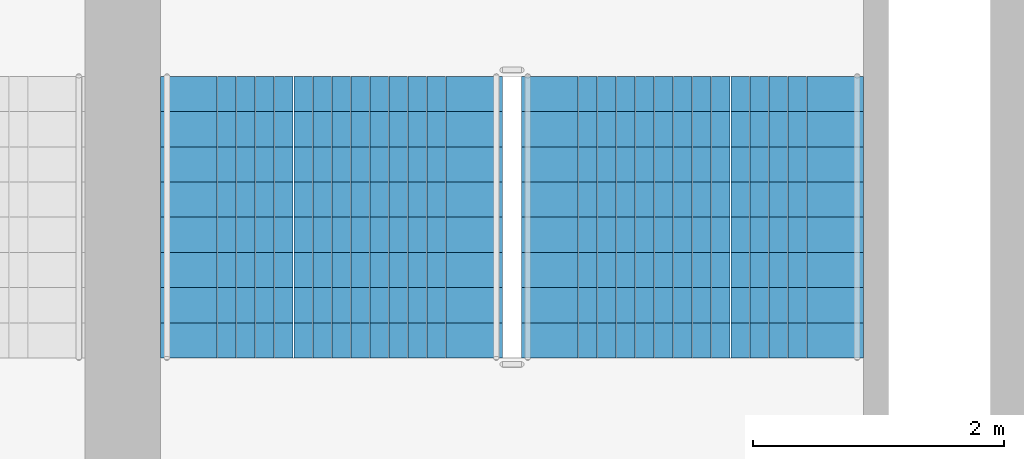
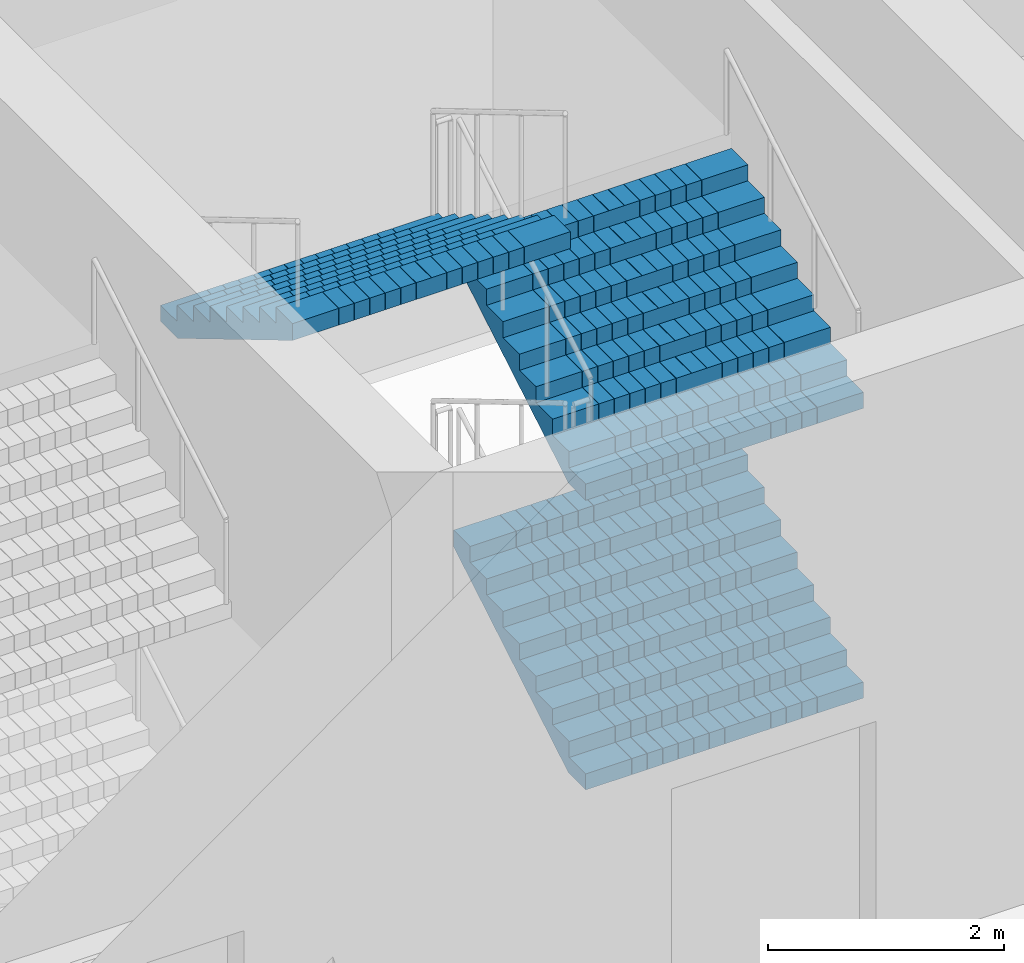
# One storey, part 44 of 61: 3 stair flights, 1 element without a shape of its own.
"""IFC4 building model written with IfcOpenShell, lengths in metres."""

import ifcopenshell
import ifcopenshell.guid

model = None  # the IFC model being written
_history = None  # IfcOwnerHistory: only IFC2X3 demands one
_inside = {}  # id of a spatial element -> (the spatial element, [elements in it])
_under = {}  # id of a project, library or spatial element -> (it, [spatial elements below it])
_declared = {}  # id of a project -> (the project, [libraries it declares])
_typed = {}  # id of a type object -> (the type object, [elements of that type])
_made_of = {}  # id of a material, layer set ... -> (it, [elements and type objects made of it])


def new_model(schema):
    """Start an empty IFC model of exactly this schema.

    Asked for "IFC4X3", IfcOpenShell would pick the latest addendum, in which some entities
    have other attributes; the version numbers below select the first issue.
    IFC2X3 requires an IfcOwnerHistory on every rooted entity: one is made here for all.
    """
    global model, _history
    if schema == "IFC4X3":
        model = ifcopenshell.file(schema_version=(4, 3, 0, 0))
    else:
        model = ifcopenshell.file(schema=schema)
    _inside.clear()
    _under.clear()
    _declared.clear()
    _typed.clear()
    _made_of.clear()
    _history = None
    if model.schema == "IFC2X3":
        org = make("IfcOrganization", Name="unknown")
        user = make(
            "IfcPersonAndOrganization",
            ThePerson=make("IfcPerson", FamilyName="unknown"),
            TheOrganization=org,
        )
        app = make(
            "IfcApplication",
            ApplicationDeveloper=org,
            Version="unknown",
            ApplicationFullName="unknown",
            ApplicationIdentifier="unknown",
        )
        _history = make(
            "IfcOwnerHistory",
            OwningUser=user,
            OwningApplication=app,
            ChangeAction="ADDED",
            CreationDate=0,
        )
    return model


def make(cls, **values):
    """One entity of the class cls with the attributes given. An attribute that is None is left unset."""
    return model.create_entity(
        cls, **{name: value for name, value in values.items() if value is not None}
    )


def rooted(cls, **values):
    """An entity with a GlobalId (a new one), such as an element, a storey or a relation."""
    return make(cls, GlobalId=ifcopenshell.guid.new(), OwnerHistory=_history, **values)


def si_unit(unit_type, name, prefix=None):
    """IfcSIUnit, for example si_unit("LENGTHUNIT", "METRE", prefix="MILLI")."""
    return make("IfcSIUnit", UnitType=unit_type, Prefix=prefix, Name=name)


def assignment(units):
    """IfcUnitAssignment: the units of a project."""
    return None if units is None else make("IfcUnitAssignment", Units=units)


def point(xyz):
    """IfcCartesianPoint."""
    return None if xyz is None else make("IfcCartesianPoint", Coordinates=xyz)


def direction(xyz):
    """IfcDirection."""
    return None if xyz is None else make("IfcDirection", DirectionRatios=xyz)


def frame(location, z_axis=None, x_axis=None):
    """IfcAxis2Placement3D, a coordinate frame: its origin and axes. An axis left out is left unset."""
    return make(
        "IfcAxis2Placement3D",
        Location=point(location),
        Axis=direction(z_axis),
        RefDirection=direction(x_axis),
    )


def origin():
    """The frame at (0, 0, 0) with its axes left unset."""
    return frame((0.0, 0.0, 0.0))


def place(relative_to, where):
    """IfcLocalPlacement: puts the frame where relative to a parent placement (None: the world)."""
    return make(
        "IfcLocalPlacement", PlacementRelTo=relative_to, RelativePlacement=where
    )


def context(
    kind, dimensions, precision=None, world=None, true_north=None, identifier=None
):
    """IfcGeometricRepresentationContext, for example the 3D "Model" context."""
    return make(
        "IfcGeometricRepresentationContext",
        ContextIdentifier=identifier,
        ContextType=kind,
        CoordinateSpaceDimension=dimensions,
        Precision=precision,
        WorldCoordinateSystem=world,
        TrueNorth=true_north,
    )


def subcontext(parent, identifier, kind, view, scale=None):
    """IfcGeometricRepresentationSubContext, for example "Body" below "Model"."""
    return make(
        "IfcGeometricRepresentationSubContext",
        ContextIdentifier=identifier,
        ContextType=kind,
        ParentContext=parent,
        TargetScale=scale,
        TargetView=view,
    )


def project(units=None, contexts=None):
    """IfcProject with its units and contexts."""
    return rooted(
        "IfcProject",
        Name="project",
        RepresentationContexts=contexts,
        UnitsInContext=assignment(units),
    )


def spatial(cls, under=None, at=None, **own):
    """A site, building, storey or space (cls), placed at a placement, below another one or the project."""
    s = rooted(cls, ObjectPlacement=at, **own)
    if under is not None:
        _under.setdefault(under.id(), (under, []))[1].append(s)
    return s


def polyline(points):
    """IfcPolyline through the points."""
    return make("IfcPolyline", Points=[point(p) for p in points])


def outline(outer, holes=None, kind="AREA"):
    """IfcArbitraryClosedProfileDef: a profile drawn as a closed curve; with holes, ...WithVoids."""
    if holes is None:
        return make("IfcArbitraryClosedProfileDef", ProfileType=kind, OuterCurve=outer)
    return make(
        "IfcArbitraryProfileDefWithVoids",
        ProfileType=kind,
        OuterCurve=outer,
        InnerCurves=holes,
    )


def extrude(swept, where, along, depth):
    """IfcExtrudedAreaSolid: the profile swept, set in the frame where, extruded along a direction by depth."""
    return make(
        "IfcExtrudedAreaSolid",
        SweptArea=swept,
        Position=where,
        ExtrudedDirection=direction(along),
        Depth=depth,
    )


def shape(context_of_items, identifier, shape_type, items):
    """IfcShapeRepresentation: the items that make up one representation, for example the "Body"."""
    return make(
        "IfcShapeRepresentation",
        ContextOfItems=context_of_items,
        RepresentationIdentifier=identifier,
        RepresentationType=shape_type,
        Items=items,
    )


def material(Name=None, Category=None):
    """IfcMaterial."""
    return make("IfcMaterial", Name=Name, Category=Category)


def made_of(thing, what):
    """Note that an element or type object is made of a material, layer set ...; save() writes the relation."""
    if what is not None:
        _made_of.setdefault(what.id(), (what, []))[1].append(thing)
    return thing


def type_object(cls, material=None, **own):
    """A type object (cls), such as IfcWallType, which elements share."""
    return made_of(rooted(cls, **own), material)


def element(
    cls,
    number,
    at=None,
    inside=None,
    cuts=None,
    type_object=None,
    material=None,
    context=None,
    identifier="Body",
    shape_type=None,
    held_by="IfcProductDefinitionShape",
    body=None,
    shapes=None,
    **own,
):
    """One element of the class cls, such as IfcWall. Its Tag is "e" and its number.

    at: its placement. inside: the storey or other place that contains it. cuts: it is an
    opening in that element (IfcRelVoidsElement). A single representation is given by context,
    identifier, shape_type and body (its items); several are given by shapes. held_by: the class
    of the entity that holds the representations. save() writes the other relations.
    """
    e = rooted(cls, Tag="e%d" % number, ObjectPlacement=at, **own)
    if body is not None:
        shapes = [shape(context, identifier, shape_type, body)]
    if shapes is not None:
        e.Representation = make(held_by, Representations=shapes)
    if inside is not None:
        _inside.setdefault(inside.id(), (inside, []))[1].append(e)
    if cuts is not None:
        rooted(
            "IfcRelVoidsElement", RelatingBuildingElement=cuts, RelatedOpeningElement=e
        )
    if type_object is not None:
        _typed.setdefault(type_object.id(), (type_object, []))[1].append(e)
    return made_of(e, material)


def aggregate(whole, parts):
    """IfcRelAggregates: a whole, such as a stair, and the parts it consists of."""
    return rooted("IfcRelAggregates", RelatingObject=whole, RelatedObjects=parts)


def save(model, path):
    """Write the relations noted so far, then the file.

    IfcRelAggregates (storeys below a building ...), IfcRelContainedInSpatialStructure (elements
    in a storey), IfcRelDefinesByType, IfcRelAssociatesMaterial and IfcRelDeclares: one each for
    every whole, place, type object, material and project.
    """
    for whole, parts in _under.values():
        aggregate(whole, parts)
    for where, things in _inside.values():
        rooted(
            "IfcRelContainedInSpatialStructure",
            RelatedElements=things,
            RelatingStructure=where,
        )
    for kind, things in _typed.values():
        rooted("IfcRelDefinesByType", RelatedObjects=things, RelatingType=kind)
    for what, things in _made_of.values():
        rooted("IfcRelAssociatesMaterial", RelatedObjects=things, RelatingMaterial=what)
    for by, libraries in _declared.values():
        rooted("IfcRelDeclares", RelatingContext=by, RelatedDefinitions=libraries)
    model.write(path)


model = new_model("IFC4")

# Units and contexts
model_context = context("Model", 3, precision=1e-05, world=origin(), true_north=direction((0.0, 1.0)))
body_context = subcontext(model_context, "Body", "Model", "MODEL_VIEW")
ifc_project = project(units=[si_unit("LENGTHUNIT", "METRE"), si_unit("AREAUNIT", "SQUARE_METRE"), si_unit("VOLUMEUNIT", "CUBIC_METRE"), si_unit("PLANEANGLEUNIT", "RADIAN"), si_unit("MASSUNIT", "GRAM", prefix="KILO")], contexts=[model_context])

# Site, building, storey
site_placement = place(None, origin())
site = spatial("IfcSite", under=ifc_project, at=site_placement, CompositionType="ELEMENT")
building_placement = place(site_placement, origin())
building = spatial("IfcBuilding", under=site, at=building_placement, Name="Corbelhall Arena Tower", CompositionType="ELEMENT")
storey_placement = place(building_placement, frame((0.0, 0.0, 31.0)))
storey = spatial("IfcBuildingStorey", under=building, at=storey_placement, Name="L04", CompositionType="ELEMENT", Elevation=31.0)

# Stair, stair flights
ifc_material = material(Name="Reinforced concrete C40/50", Category="concrete")
stair_type = type_object("IfcStairType", Name="AR-EXIT-STAIR", PredefinedType="HALF_TURN_STAIR", material=ifc_material)
stair_placement = place(storey_placement, origin())
stair = element("IfcStair", 1, at=stair_placement, inside=storey, type_object=stair_type, Name="L04 exit stair AS3", PredefinedType="HALF_TURN_STAIR")
stair_flight_type = type_object("IfcStairFlightType", Name="AR-EXIT-FLIGHT", PredefinedType="STRAIGHT", material=ifc_material)
stair_flight_1_placement = place(storey_placement, frame((-35.969970703125, 27.320068359375, 0.0), z_axis=(0.0, 0.0, 1.0), x_axis=(0.0, 1.0, 0.0)))
stair_flight_1 = element("IfcStairFlight", 2, at=stair_flight_1_placement, type_object=stair_flight_type, Name="AS3 flight 1", NumberOfRisers=9, NumberOfTreads=8, PredefinedType="STRAIGHT", RiserHeight=0.166666667, TreadLength=0.28, context=body_context, shape_type="SweptSolid", body=[
    extrude(outline(polyline([(0.0, 0.0), (0.0, 0.166748046875), (0.280029296875, 0.166748046875), (0.280029296875, 0.333251953125), (0.56005859375, 0.333251953125), (0.56005859375, 0.5), (0.840087890625, 0.5), (0.840087890625, 0.666748046875), (1.1201171875, 0.666748046875), (1.1201171875, 0.833251953125), (1.39990234375, 0.833251953125), (1.39990234375, 1.0), (1.679931640625, 1.0), (1.679931640625, 1.166748046875), (1.9599609375, 1.166748046875), (1.9599609375, 1.333251953125), (2.239990234375, 1.333251953125), (2.239990234375, 1.5), (2.239990234375, 1.158935546875), (0.29296875, 0.0), (0.0, 0.0)])), frame((0.0, 1.35986328125, 0.0), z_axis=(0.0, -1.0, 0.0), x_axis=(1.0, 0.0, 0.0)), (0.0, 0.0, 1.0), 0.449951171875),
    extrude(outline(polyline([(0.0, 0.0), (0.0, 0.166748046875), (0.280029296875, 0.166748046875), (0.280029296875, 0.333251953125), (0.56005859375, 0.333251953125), (0.56005859375, 0.5), (0.840087890625, 0.5), (0.840087890625, 0.666748046875), (1.1201171875, 0.666748046875), (1.1201171875, 0.833251953125), (1.39990234375, 0.833251953125), (1.39990234375, 1.0), (1.679931640625, 1.0), (1.679931640625, 1.166748046875), (1.9599609375, 1.166748046875), (1.9599609375, 1.333251953125), (2.239990234375, 1.333251953125), (2.239990234375, 1.5), (2.239990234375, 1.158935546875), (0.29296875, 0.0), (0.0, 0.0)])), frame((0.0, 0.906005859375, 0.0), z_axis=(0.0, -1.0, 0.0), x_axis=(1.0, 0.0, 0.0)), (0.0, 0.0, 1.0), 0.147216796875),
    extrude(outline(polyline([(0.0, 0.0), (0.0, 0.166748046875), (0.280029296875, 0.166748046875), (0.280029296875, 0.333251953125), (0.56005859375, 0.333251953125), (0.56005859375, 0.5), (0.840087890625, 0.5), (0.840087890625, 0.666748046875), (1.1201171875, 0.666748046875), (1.1201171875, 0.833251953125), (1.39990234375, 0.833251953125), (1.39990234375, 1.0), (1.679931640625, 1.0), (1.679931640625, 1.166748046875), (1.9599609375, 1.166748046875), (1.9599609375, 1.333251953125), (2.239990234375, 1.333251953125), (2.239990234375, 1.5), (2.239990234375, 1.158935546875), (0.29296875, 0.0), (0.0, 0.0)])), frame((0.0, 0.754638671875, 0.0), z_axis=(0.0, -1.0, 0.0), x_axis=(1.0, 0.0, 0.0)), (0.0, 0.0, 1.0), 0.147216796875),
    extrude(outline(polyline([(0.0, 0.0), (0.0, 0.166748046875), (0.280029296875, 0.166748046875), (0.280029296875, 0.333251953125), (0.56005859375, 0.333251953125), (0.56005859375, 0.5), (0.840087890625, 0.5), (0.840087890625, 0.666748046875), (1.1201171875, 0.666748046875), (1.1201171875, 0.833251953125), (1.39990234375, 0.833251953125), (1.39990234375, 1.0), (1.679931640625, 1.0), (1.679931640625, 1.166748046875), (1.9599609375, 1.166748046875), (1.9599609375, 1.333251953125), (2.239990234375, 1.333251953125), (2.239990234375, 1.5), (2.239990234375, 1.158935546875), (0.29296875, 0.0), (0.0, 0.0)])), frame((0.0, 0.603271484375, 0.0), z_axis=(0.0, -1.0, 0.0), x_axis=(1.0, 0.0, 0.0)), (0.0, 0.0, 1.0), 0.147216796875),
    extrude(outline(polyline([(0.0, 0.0), (0.0, 0.166748046875), (0.280029296875, 0.166748046875), (0.280029296875, 0.333251953125), (0.56005859375, 0.333251953125), (0.56005859375, 0.5), (0.840087890625, 0.5), (0.840087890625, 0.666748046875), (1.1201171875, 0.666748046875), (1.1201171875, 0.833251953125), (1.39990234375, 0.833251953125), (1.39990234375, 1.0), (1.679931640625, 1.0), (1.679931640625, 1.166748046875), (1.9599609375, 1.166748046875), (1.9599609375, 1.333251953125), (2.239990234375, 1.333251953125), (2.239990234375, 1.5), (2.239990234375, 1.158935546875), (0.29296875, 0.0), (0.0, 0.0)])), frame((0.0, 0.451904296875, 0.0), z_axis=(0.0, -1.0, 0.0), x_axis=(1.0, 0.0, 0.0)), (0.0, 0.0, 1.0), 0.147216796875),
    extrude(outline(polyline([(0.0, 0.0), (0.0, 0.166748046875), (0.280029296875, 0.166748046875), (0.280029296875, 0.333251953125), (0.56005859375, 0.333251953125), (0.56005859375, 0.5), (0.840087890625, 0.5), (0.840087890625, 0.666748046875), (1.1201171875, 0.666748046875), (1.1201171875, 0.833251953125), (1.39990234375, 0.833251953125), (1.39990234375, 1.0), (1.679931640625, 1.0), (1.679931640625, 1.166748046875), (1.9599609375, 1.166748046875), (1.9599609375, 1.333251953125), (2.239990234375, 1.333251953125), (2.239990234375, 1.5), (2.239990234375, 1.158935546875), (0.29296875, 0.0), (0.0, 0.0)])), frame((0.0, 0.30078125, 0.0), z_axis=(0.0, -1.0, 0.0), x_axis=(1.0, 0.0, 0.0)), (0.0, 0.0, 1.0), 0.147216796875),
    extrude(outline(polyline([(0.0, 0.0), (0.0, 0.166748046875), (0.280029296875, 0.166748046875), (0.280029296875, 0.333251953125), (0.56005859375, 0.333251953125), (0.56005859375, 0.5), (0.840087890625, 0.5), (0.840087890625, 0.666748046875), (1.1201171875, 0.666748046875), (1.1201171875, 0.833251953125), (1.39990234375, 0.833251953125), (1.39990234375, 1.0), (1.679931640625, 1.0), (1.679931640625, 1.166748046875), (1.9599609375, 1.166748046875), (1.9599609375, 1.333251953125), (2.239990234375, 1.333251953125), (2.239990234375, 1.5), (2.239990234375, 1.158935546875), (0.29296875, 0.0), (0.0, 0.0)])), frame((0.0, 0.1494140625, 0.0), z_axis=(0.0, -1.0, 0.0), x_axis=(1.0, 0.0, 0.0)), (0.0, 0.0, 1.0), 0.147216796875),
    extrude(outline(polyline([(0.0, 0.0), (0.0, 0.166748046875), (0.280029296875, 0.166748046875), (0.280029296875, 0.333251953125), (0.56005859375, 0.333251953125), (0.56005859375, 0.5), (0.840087890625, 0.5), (0.840087890625, 0.666748046875), (1.1201171875, 0.666748046875), (1.1201171875, 0.833251953125), (1.39990234375, 0.833251953125), (1.39990234375, 1.0), (1.679931640625, 1.0), (1.679931640625, 1.166748046875), (1.9599609375, 1.166748046875), (1.9599609375, 1.333251953125), (2.239990234375, 1.333251953125), (2.239990234375, 1.5), (2.239990234375, 1.158935546875), (0.29296875, 0.0), (0.0, 0.0)])), frame((0.0, -0.001953125, 0.0), z_axis=(0.0, -1.0, 0.0), x_axis=(1.0, 0.0, 0.0)), (0.0, 0.0, 1.0), 0.147216796875),
    extrude(outline(polyline([(0.0, 0.0), (0.0, 0.166748046875), (0.280029296875, 0.166748046875), (0.280029296875, 0.333251953125), (0.56005859375, 0.333251953125), (0.56005859375, 0.5), (0.840087890625, 0.5), (0.840087890625, 0.666748046875), (1.1201171875, 0.666748046875), (1.1201171875, 0.833251953125), (1.39990234375, 0.833251953125), (1.39990234375, 1.0), (1.679931640625, 1.0), (1.679931640625, 1.166748046875), (1.9599609375, 1.166748046875), (1.9599609375, 1.333251953125), (2.239990234375, 1.333251953125), (2.239990234375, 1.5), (2.239990234375, 1.158935546875), (0.29296875, 0.0), (0.0, 0.0)])), frame((0.0, -0.1533203125, 0.0), z_axis=(0.0, -1.0, 0.0), x_axis=(1.0, 0.0, 0.0)), (0.0, 0.0, 1.0), 0.147216796875),
    extrude(outline(polyline([(0.0, 0.0), (0.0, 0.166748046875), (0.280029296875, 0.166748046875), (0.280029296875, 0.333251953125), (0.56005859375, 0.333251953125), (0.56005859375, 0.5), (0.840087890625, 0.5), (0.840087890625, 0.666748046875), (1.1201171875, 0.666748046875), (1.1201171875, 0.833251953125), (1.39990234375, 0.833251953125), (1.39990234375, 1.0), (1.679931640625, 1.0), (1.679931640625, 1.166748046875), (1.9599609375, 1.166748046875), (1.9599609375, 1.333251953125), (2.239990234375, 1.333251953125), (2.239990234375, 1.5), (2.239990234375, 1.158935546875), (0.29296875, 0.0), (0.0, 0.0)])), frame((0.0, -0.3046875, 0.0), z_axis=(0.0, -1.0, 0.0), x_axis=(1.0, 0.0, 0.0)), (0.0, 0.0, 1.0), 0.147216796875),
    extrude(outline(polyline([(0.0, 0.0), (0.0, 0.166748046875), (0.280029296875, 0.166748046875), (0.280029296875, 0.333251953125), (0.56005859375, 0.333251953125), (0.56005859375, 0.5), (0.840087890625, 0.5), (0.840087890625, 0.666748046875), (1.1201171875, 0.666748046875), (1.1201171875, 0.833251953125), (1.39990234375, 0.833251953125), (1.39990234375, 1.0), (1.679931640625, 1.0), (1.679931640625, 1.166748046875), (1.9599609375, 1.166748046875), (1.9599609375, 1.333251953125), (2.239990234375, 1.333251953125), (2.239990234375, 1.5), (2.239990234375, 1.158935546875), (0.29296875, 0.0), (0.0, 0.0)])), frame((0.0, -0.4560546875, 0.0), z_axis=(0.0, -1.0, 0.0), x_axis=(1.0, 0.0, 0.0)), (0.0, 0.0, 1.0), 0.147216796875),
    extrude(outline(polyline([(0.0, 0.0), (0.0, 0.166748046875), (0.280029296875, 0.166748046875), (0.280029296875, 0.333251953125), (0.56005859375, 0.333251953125), (0.56005859375, 0.5), (0.840087890625, 0.5), (0.840087890625, 0.666748046875), (1.1201171875, 0.666748046875), (1.1201171875, 0.833251953125), (1.39990234375, 0.833251953125), (1.39990234375, 1.0), (1.679931640625, 1.0), (1.679931640625, 1.166748046875), (1.9599609375, 1.166748046875), (1.9599609375, 1.333251953125), (2.239990234375, 1.333251953125), (2.239990234375, 1.5), (2.239990234375, 1.158935546875), (0.29296875, 0.0), (0.0, 0.0)])), frame((0.0, -0.607421875, 0.0), z_axis=(0.0, -1.0, 0.0), x_axis=(1.0, 0.0, 0.0)), (0.0, 0.0, 1.0), 0.147216796875),
    extrude(outline(polyline([(0.0, 0.0), (0.0, 0.166748046875), (0.280029296875, 0.166748046875), (0.280029296875, 0.333251953125), (0.56005859375, 0.333251953125), (0.56005859375, 0.5), (0.840087890625, 0.5), (0.840087890625, 0.666748046875), (1.1201171875, 0.666748046875), (1.1201171875, 0.833251953125), (1.39990234375, 0.833251953125), (1.39990234375, 1.0), (1.679931640625, 1.0), (1.679931640625, 1.166748046875), (1.9599609375, 1.166748046875), (1.9599609375, 1.333251953125), (2.239990234375, 1.333251953125), (2.239990234375, 1.5), (2.239990234375, 1.158935546875), (0.29296875, 0.0), (0.0, 0.0)])), frame((0.0, -0.758544921875, 0.0), z_axis=(0.0, -1.0, 0.0), x_axis=(1.0, 0.0, 0.0)), (0.0, 0.0, 1.0), 0.147216796875),
    extrude(outline(polyline([(0.0, 0.0), (0.0, 0.166748046875), (0.280029296875, 0.166748046875), (0.280029296875, 0.333251953125), (0.56005859375, 0.333251953125), (0.56005859375, 0.5), (0.840087890625, 0.5), (0.840087890625, 0.666748046875), (1.1201171875, 0.666748046875), (1.1201171875, 0.833251953125), (1.39990234375, 0.833251953125), (1.39990234375, 1.0), (1.679931640625, 1.0), (1.679931640625, 1.166748046875), (1.9599609375, 1.166748046875), (1.9599609375, 1.333251953125), (2.239990234375, 1.333251953125), (2.239990234375, 1.5), (2.239990234375, 1.158935546875), (0.29296875, 0.0), (0.0, 0.0)])), frame((0.0, -0.909912109375, 0.0), z_axis=(0.0, -1.0, 0.0), x_axis=(1.0, 0.0, 0.0)), (0.0, 0.0, 1.0), 0.449951171875),
])
stair_flight_2_placement = place(storey_placement, frame((-35.969970703125, 27.320068359375, 3.0), z_axis=(0.0, 0.0, 1.0), x_axis=(0.0, 1.0, 0.0)))
stair_flight_2 = element("IfcStairFlight", 3, at=stair_flight_2_placement, type_object=stair_flight_type, Name="AS3 flight 3", NumberOfRisers=9, NumberOfTreads=8, PredefinedType="STRAIGHT", RiserHeight=0.166666667, TreadLength=0.28, context=body_context, shape_type="SweptSolid", body=[
    extrude(outline(polyline([(0.0, 0.0), (0.0, 0.166748046875), (0.280029296875, 0.166748046875), (0.280029296875, 0.333251953125), (0.56005859375, 0.333251953125), (0.56005859375, 0.5), (0.840087890625, 0.5), (0.840087890625, 0.666748046875), (1.1201171875, 0.666748046875), (1.1201171875, 0.833251953125), (1.39990234375, 0.833251953125), (1.39990234375, 1.0), (1.679931640625, 1.0), (1.679931640625, 1.166748046875), (1.9599609375, 1.166748046875), (1.9599609375, 1.333251953125), (2.239990234375, 1.333251953125), (2.239990234375, 1.5), (2.239990234375, 1.158935546875), (0.29296875, 0.0), (0.0, 0.0)])), frame((0.0, 1.35986328125, 0.0), z_axis=(0.0, -1.0, 0.0), x_axis=(1.0, 0.0, 0.0)), (0.0, 0.0, 1.0), 0.449951171875),
    extrude(outline(polyline([(0.0, 0.0), (0.0, 0.166748046875), (0.280029296875, 0.166748046875), (0.280029296875, 0.333251953125), (0.56005859375, 0.333251953125), (0.56005859375, 0.5), (0.840087890625, 0.5), (0.840087890625, 0.666748046875), (1.1201171875, 0.666748046875), (1.1201171875, 0.833251953125), (1.39990234375, 0.833251953125), (1.39990234375, 1.0), (1.679931640625, 1.0), (1.679931640625, 1.166748046875), (1.9599609375, 1.166748046875), (1.9599609375, 1.333251953125), (2.239990234375, 1.333251953125), (2.239990234375, 1.5), (2.239990234375, 1.158935546875), (0.29296875, 0.0), (0.0, 0.0)])), frame((0.0, 0.906005859375, 0.0), z_axis=(0.0, -1.0, 0.0), x_axis=(1.0, 0.0, 0.0)), (0.0, 0.0, 1.0), 0.147216796875),
    extrude(outline(polyline([(0.0, 0.0), (0.0, 0.166748046875), (0.280029296875, 0.166748046875), (0.280029296875, 0.333251953125), (0.56005859375, 0.333251953125), (0.56005859375, 0.5), (0.840087890625, 0.5), (0.840087890625, 0.666748046875), (1.1201171875, 0.666748046875), (1.1201171875, 0.833251953125), (1.39990234375, 0.833251953125), (1.39990234375, 1.0), (1.679931640625, 1.0), (1.679931640625, 1.166748046875), (1.9599609375, 1.166748046875), (1.9599609375, 1.333251953125), (2.239990234375, 1.333251953125), (2.239990234375, 1.5), (2.239990234375, 1.158935546875), (0.29296875, 0.0), (0.0, 0.0)])), frame((0.0, 0.754638671875, 0.0), z_axis=(0.0, -1.0, 0.0), x_axis=(1.0, 0.0, 0.0)), (0.0, 0.0, 1.0), 0.147216796875),
    extrude(outline(polyline([(0.0, 0.0), (0.0, 0.166748046875), (0.280029296875, 0.166748046875), (0.280029296875, 0.333251953125), (0.56005859375, 0.333251953125), (0.56005859375, 0.5), (0.840087890625, 0.5), (0.840087890625, 0.666748046875), (1.1201171875, 0.666748046875), (1.1201171875, 0.833251953125), (1.39990234375, 0.833251953125), (1.39990234375, 1.0), (1.679931640625, 1.0), (1.679931640625, 1.166748046875), (1.9599609375, 1.166748046875), (1.9599609375, 1.333251953125), (2.239990234375, 1.333251953125), (2.239990234375, 1.5), (2.239990234375, 1.158935546875), (0.29296875, 0.0), (0.0, 0.0)])), frame((0.0, 0.603271484375, 0.0), z_axis=(0.0, -1.0, 0.0), x_axis=(1.0, 0.0, 0.0)), (0.0, 0.0, 1.0), 0.147216796875),
    extrude(outline(polyline([(0.0, 0.0), (0.0, 0.166748046875), (0.280029296875, 0.166748046875), (0.280029296875, 0.333251953125), (0.56005859375, 0.333251953125), (0.56005859375, 0.5), (0.840087890625, 0.5), (0.840087890625, 0.666748046875), (1.1201171875, 0.666748046875), (1.1201171875, 0.833251953125), (1.39990234375, 0.833251953125), (1.39990234375, 1.0), (1.679931640625, 1.0), (1.679931640625, 1.166748046875), (1.9599609375, 1.166748046875), (1.9599609375, 1.333251953125), (2.239990234375, 1.333251953125), (2.239990234375, 1.5), (2.239990234375, 1.158935546875), (0.29296875, 0.0), (0.0, 0.0)])), frame((0.0, 0.451904296875, 0.0), z_axis=(0.0, -1.0, 0.0), x_axis=(1.0, 0.0, 0.0)), (0.0, 0.0, 1.0), 0.147216796875),
    extrude(outline(polyline([(0.0, 0.0), (0.0, 0.166748046875), (0.280029296875, 0.166748046875), (0.280029296875, 0.333251953125), (0.56005859375, 0.333251953125), (0.56005859375, 0.5), (0.840087890625, 0.5), (0.840087890625, 0.666748046875), (1.1201171875, 0.666748046875), (1.1201171875, 0.833251953125), (1.39990234375, 0.833251953125), (1.39990234375, 1.0), (1.679931640625, 1.0), (1.679931640625, 1.166748046875), (1.9599609375, 1.166748046875), (1.9599609375, 1.333251953125), (2.239990234375, 1.333251953125), (2.239990234375, 1.5), (2.239990234375, 1.158935546875), (0.29296875, 0.0), (0.0, 0.0)])), frame((0.0, 0.30078125, 0.0), z_axis=(0.0, -1.0, 0.0), x_axis=(1.0, 0.0, 0.0)), (0.0, 0.0, 1.0), 0.147216796875),
    extrude(outline(polyline([(0.0, 0.0), (0.0, 0.166748046875), (0.280029296875, 0.166748046875), (0.280029296875, 0.333251953125), (0.56005859375, 0.333251953125), (0.56005859375, 0.5), (0.840087890625, 0.5), (0.840087890625, 0.666748046875), (1.1201171875, 0.666748046875), (1.1201171875, 0.833251953125), (1.39990234375, 0.833251953125), (1.39990234375, 1.0), (1.679931640625, 1.0), (1.679931640625, 1.166748046875), (1.9599609375, 1.166748046875), (1.9599609375, 1.333251953125), (2.239990234375, 1.333251953125), (2.239990234375, 1.5), (2.239990234375, 1.158935546875), (0.29296875, 0.0), (0.0, 0.0)])), frame((0.0, 0.1494140625, 0.0), z_axis=(0.0, -1.0, 0.0), x_axis=(1.0, 0.0, 0.0)), (0.0, 0.0, 1.0), 0.147216796875),
    extrude(outline(polyline([(0.0, 0.0), (0.0, 0.166748046875), (0.280029296875, 0.166748046875), (0.280029296875, 0.333251953125), (0.56005859375, 0.333251953125), (0.56005859375, 0.5), (0.840087890625, 0.5), (0.840087890625, 0.666748046875), (1.1201171875, 0.666748046875), (1.1201171875, 0.833251953125), (1.39990234375, 0.833251953125), (1.39990234375, 1.0), (1.679931640625, 1.0), (1.679931640625, 1.166748046875), (1.9599609375, 1.166748046875), (1.9599609375, 1.333251953125), (2.239990234375, 1.333251953125), (2.239990234375, 1.5), (2.239990234375, 1.158935546875), (0.29296875, 0.0), (0.0, 0.0)])), frame((0.0, -0.001953125, 0.0), z_axis=(0.0, -1.0, 0.0), x_axis=(1.0, 0.0, 0.0)), (0.0, 0.0, 1.0), 0.147216796875),
    extrude(outline(polyline([(0.0, 0.0), (0.0, 0.166748046875), (0.280029296875, 0.166748046875), (0.280029296875, 0.333251953125), (0.56005859375, 0.333251953125), (0.56005859375, 0.5), (0.840087890625, 0.5), (0.840087890625, 0.666748046875), (1.1201171875, 0.666748046875), (1.1201171875, 0.833251953125), (1.39990234375, 0.833251953125), (1.39990234375, 1.0), (1.679931640625, 1.0), (1.679931640625, 1.166748046875), (1.9599609375, 1.166748046875), (1.9599609375, 1.333251953125), (2.239990234375, 1.333251953125), (2.239990234375, 1.5), (2.239990234375, 1.158935546875), (0.29296875, 0.0), (0.0, 0.0)])), frame((0.0, -0.1533203125, 0.0), z_axis=(0.0, -1.0, 0.0), x_axis=(1.0, 0.0, 0.0)), (0.0, 0.0, 1.0), 0.147216796875),
    extrude(outline(polyline([(0.0, 0.0), (0.0, 0.166748046875), (0.280029296875, 0.166748046875), (0.280029296875, 0.333251953125), (0.56005859375, 0.333251953125), (0.56005859375, 0.5), (0.840087890625, 0.5), (0.840087890625, 0.666748046875), (1.1201171875, 0.666748046875), (1.1201171875, 0.833251953125), (1.39990234375, 0.833251953125), (1.39990234375, 1.0), (1.679931640625, 1.0), (1.679931640625, 1.166748046875), (1.9599609375, 1.166748046875), (1.9599609375, 1.333251953125), (2.239990234375, 1.333251953125), (2.239990234375, 1.5), (2.239990234375, 1.158935546875), (0.29296875, 0.0), (0.0, 0.0)])), frame((0.0, -0.3046875, 0.0), z_axis=(0.0, -1.0, 0.0), x_axis=(1.0, 0.0, 0.0)), (0.0, 0.0, 1.0), 0.147216796875),
    extrude(outline(polyline([(0.0, 0.0), (0.0, 0.166748046875), (0.280029296875, 0.166748046875), (0.280029296875, 0.333251953125), (0.56005859375, 0.333251953125), (0.56005859375, 0.5), (0.840087890625, 0.5), (0.840087890625, 0.666748046875), (1.1201171875, 0.666748046875), (1.1201171875, 0.833251953125), (1.39990234375, 0.833251953125), (1.39990234375, 1.0), (1.679931640625, 1.0), (1.679931640625, 1.166748046875), (1.9599609375, 1.166748046875), (1.9599609375, 1.333251953125), (2.239990234375, 1.333251953125), (2.239990234375, 1.5), (2.239990234375, 1.158935546875), (0.29296875, 0.0), (0.0, 0.0)])), frame((0.0, -0.4560546875, 0.0), z_axis=(0.0, -1.0, 0.0), x_axis=(1.0, 0.0, 0.0)), (0.0, 0.0, 1.0), 0.147216796875),
    extrude(outline(polyline([(0.0, 0.0), (0.0, 0.166748046875), (0.280029296875, 0.166748046875), (0.280029296875, 0.333251953125), (0.56005859375, 0.333251953125), (0.56005859375, 0.5), (0.840087890625, 0.5), (0.840087890625, 0.666748046875), (1.1201171875, 0.666748046875), (1.1201171875, 0.833251953125), (1.39990234375, 0.833251953125), (1.39990234375, 1.0), (1.679931640625, 1.0), (1.679931640625, 1.166748046875), (1.9599609375, 1.166748046875), (1.9599609375, 1.333251953125), (2.239990234375, 1.333251953125), (2.239990234375, 1.5), (2.239990234375, 1.158935546875), (0.29296875, 0.0), (0.0, 0.0)])), frame((0.0, -0.607421875, 0.0), z_axis=(0.0, -1.0, 0.0), x_axis=(1.0, 0.0, 0.0)), (0.0, 0.0, 1.0), 0.147216796875),
    extrude(outline(polyline([(0.0, 0.0), (0.0, 0.166748046875), (0.280029296875, 0.166748046875), (0.280029296875, 0.333251953125), (0.56005859375, 0.333251953125), (0.56005859375, 0.5), (0.840087890625, 0.5), (0.840087890625, 0.666748046875), (1.1201171875, 0.666748046875), (1.1201171875, 0.833251953125), (1.39990234375, 0.833251953125), (1.39990234375, 1.0), (1.679931640625, 1.0), (1.679931640625, 1.166748046875), (1.9599609375, 1.166748046875), (1.9599609375, 1.333251953125), (2.239990234375, 1.333251953125), (2.239990234375, 1.5), (2.239990234375, 1.158935546875), (0.29296875, 0.0), (0.0, 0.0)])), frame((0.0, -0.758544921875, 0.0), z_axis=(0.0, -1.0, 0.0), x_axis=(1.0, 0.0, 0.0)), (0.0, 0.0, 1.0), 0.147216796875),
    extrude(outline(polyline([(0.0, 0.0), (0.0, 0.166748046875), (0.280029296875, 0.166748046875), (0.280029296875, 0.333251953125), (0.56005859375, 0.333251953125), (0.56005859375, 0.5), (0.840087890625, 0.5), (0.840087890625, 0.666748046875), (1.1201171875, 0.666748046875), (1.1201171875, 0.833251953125), (1.39990234375, 0.833251953125), (1.39990234375, 1.0), (1.679931640625, 1.0), (1.679931640625, 1.166748046875), (1.9599609375, 1.166748046875), (1.9599609375, 1.333251953125), (2.239990234375, 1.333251953125), (2.239990234375, 1.5), (2.239990234375, 1.158935546875), (0.29296875, 0.0), (0.0, 0.0)])), frame((0.0, -0.909912109375, 0.0), z_axis=(0.0, -1.0, 0.0), x_axis=(1.0, 0.0, 0.0)), (0.0, 0.0, 1.0), 0.449951171875),
])
stair_flight_3_placement = place(storey_placement, frame((-38.840087890625, 29.56005859375, 4.5), z_axis=(0.0, 0.0, 1.0), x_axis=(0.0, -1.0, 0.0)))
stair_flight_3 = element("IfcStairFlight", 4, at=stair_flight_3_placement, type_object=stair_flight_type, Name="AS3 flight 4", NumberOfRisers=9, NumberOfTreads=8, PredefinedType="STRAIGHT", RiserHeight=0.166666667, TreadLength=0.28, context=body_context, shape_type="SweptSolid", body=[
    extrude(outline(polyline([(0.0, 0.0), (0.0, 0.166748046875), (0.280029296875, 0.166748046875), (0.280029296875, 0.333251953125), (0.56005859375, 0.333251953125), (0.56005859375, 0.5), (0.840087890625, 0.5), (0.840087890625, 0.666748046875), (1.1201171875, 0.666748046875), (1.1201171875, 0.833251953125), (1.39990234375, 0.833251953125), (1.39990234375, 1.0), (1.679931640625, 1.0), (1.679931640625, 1.166748046875), (1.9599609375, 1.166748046875), (1.9599609375, 1.333251953125), (2.239990234375, 1.333251953125), (2.239990234375, 1.5), (2.239990234375, 1.158935546875), (0.29296875, 0.0), (0.0, 0.0)])), frame((0.0, 1.35986328125, 0.0), z_axis=(0.0, -1.0, 0.0), x_axis=(1.0, 0.0, 0.0)), (0.0, 0.0, 1.0), 0.449951171875),
    extrude(outline(polyline([(0.0, 0.0), (0.0, 0.166748046875), (0.280029296875, 0.166748046875), (0.280029296875, 0.333251953125), (0.56005859375, 0.333251953125), (0.56005859375, 0.5), (0.840087890625, 0.5), (0.840087890625, 0.666748046875), (1.1201171875, 0.666748046875), (1.1201171875, 0.833251953125), (1.39990234375, 0.833251953125), (1.39990234375, 1.0), (1.679931640625, 1.0), (1.679931640625, 1.166748046875), (1.9599609375, 1.166748046875), (1.9599609375, 1.333251953125), (2.239990234375, 1.333251953125), (2.239990234375, 1.5), (2.239990234375, 1.158935546875), (0.29296875, 0.0), (0.0, 0.0)])), frame((0.0, 0.906005859375, 0.0), z_axis=(0.0, -1.0, 0.0), x_axis=(1.0, 0.0, 0.0)), (0.0, 0.0, 1.0), 0.147216796875),
    extrude(outline(polyline([(0.0, 0.0), (0.0, 0.166748046875), (0.280029296875, 0.166748046875), (0.280029296875, 0.333251953125), (0.56005859375, 0.333251953125), (0.56005859375, 0.5), (0.840087890625, 0.5), (0.840087890625, 0.666748046875), (1.1201171875, 0.666748046875), (1.1201171875, 0.833251953125), (1.39990234375, 0.833251953125), (1.39990234375, 1.0), (1.679931640625, 1.0), (1.679931640625, 1.166748046875), (1.9599609375, 1.166748046875), (1.9599609375, 1.333251953125), (2.239990234375, 1.333251953125), (2.239990234375, 1.5), (2.239990234375, 1.158935546875), (0.29296875, 0.0), (0.0, 0.0)])), frame((0.0, 0.754638671875, 0.0), z_axis=(0.0, -1.0, 0.0), x_axis=(1.0, 0.0, 0.0)), (0.0, 0.0, 1.0), 0.147216796875),
    extrude(outline(polyline([(0.0, 0.0), (0.0, 0.166748046875), (0.280029296875, 0.166748046875), (0.280029296875, 0.333251953125), (0.56005859375, 0.333251953125), (0.56005859375, 0.5), (0.840087890625, 0.5), (0.840087890625, 0.666748046875), (1.1201171875, 0.666748046875), (1.1201171875, 0.833251953125), (1.39990234375, 0.833251953125), (1.39990234375, 1.0), (1.679931640625, 1.0), (1.679931640625, 1.166748046875), (1.9599609375, 1.166748046875), (1.9599609375, 1.333251953125), (2.239990234375, 1.333251953125), (2.239990234375, 1.5), (2.239990234375, 1.158935546875), (0.29296875, 0.0), (0.0, 0.0)])), frame((0.0, 0.603271484375, 0.0), z_axis=(0.0, -1.0, 0.0), x_axis=(1.0, 0.0, 0.0)), (0.0, 0.0, 1.0), 0.147216796875),
    extrude(outline(polyline([(0.0, 0.0), (0.0, 0.166748046875), (0.280029296875, 0.166748046875), (0.280029296875, 0.333251953125), (0.56005859375, 0.333251953125), (0.56005859375, 0.5), (0.840087890625, 0.5), (0.840087890625, 0.666748046875), (1.1201171875, 0.666748046875), (1.1201171875, 0.833251953125), (1.39990234375, 0.833251953125), (1.39990234375, 1.0), (1.679931640625, 1.0), (1.679931640625, 1.166748046875), (1.9599609375, 1.166748046875), (1.9599609375, 1.333251953125), (2.239990234375, 1.333251953125), (2.239990234375, 1.5), (2.239990234375, 1.158935546875), (0.29296875, 0.0), (0.0, 0.0)])), frame((0.0, 0.451904296875, 0.0), z_axis=(0.0, -1.0, 0.0), x_axis=(1.0, 0.0, 0.0)), (0.0, 0.0, 1.0), 0.147216796875),
    extrude(outline(polyline([(0.0, 0.0), (0.0, 0.166748046875), (0.280029296875, 0.166748046875), (0.280029296875, 0.333251953125), (0.56005859375, 0.333251953125), (0.56005859375, 0.5), (0.840087890625, 0.5), (0.840087890625, 0.666748046875), (1.1201171875, 0.666748046875), (1.1201171875, 0.833251953125), (1.39990234375, 0.833251953125), (1.39990234375, 1.0), (1.679931640625, 1.0), (1.679931640625, 1.166748046875), (1.9599609375, 1.166748046875), (1.9599609375, 1.333251953125), (2.239990234375, 1.333251953125), (2.239990234375, 1.5), (2.239990234375, 1.158935546875), (0.29296875, 0.0), (0.0, 0.0)])), frame((0.0, 0.30078125, 0.0), z_axis=(0.0, -1.0, 0.0), x_axis=(1.0, 0.0, 0.0)), (0.0, 0.0, 1.0), 0.147216796875),
    extrude(outline(polyline([(0.0, 0.0), (0.0, 0.166748046875), (0.280029296875, 0.166748046875), (0.280029296875, 0.333251953125), (0.56005859375, 0.333251953125), (0.56005859375, 0.5), (0.840087890625, 0.5), (0.840087890625, 0.666748046875), (1.1201171875, 0.666748046875), (1.1201171875, 0.833251953125), (1.39990234375, 0.833251953125), (1.39990234375, 1.0), (1.679931640625, 1.0), (1.679931640625, 1.166748046875), (1.9599609375, 1.166748046875), (1.9599609375, 1.333251953125), (2.239990234375, 1.333251953125), (2.239990234375, 1.5), (2.239990234375, 1.158935546875), (0.29296875, 0.0), (0.0, 0.0)])), frame((0.0, 0.1494140625, 0.0), z_axis=(0.0, -1.0, 0.0), x_axis=(1.0, 0.0, 0.0)), (0.0, 0.0, 1.0), 0.147216796875),
    extrude(outline(polyline([(0.0, 0.0), (0.0, 0.166748046875), (0.280029296875, 0.166748046875), (0.280029296875, 0.333251953125), (0.56005859375, 0.333251953125), (0.56005859375, 0.5), (0.840087890625, 0.5), (0.840087890625, 0.666748046875), (1.1201171875, 0.666748046875), (1.1201171875, 0.833251953125), (1.39990234375, 0.833251953125), (1.39990234375, 1.0), (1.679931640625, 1.0), (1.679931640625, 1.166748046875), (1.9599609375, 1.166748046875), (1.9599609375, 1.333251953125), (2.239990234375, 1.333251953125), (2.239990234375, 1.5), (2.239990234375, 1.158935546875), (0.29296875, 0.0), (0.0, 0.0)])), frame((0.0, -0.001953125, 0.0), z_axis=(0.0, -1.0, 0.0), x_axis=(1.0, 0.0, 0.0)), (0.0, 0.0, 1.0), 0.147216796875),
    extrude(outline(polyline([(0.0, 0.0), (0.0, 0.166748046875), (0.280029296875, 0.166748046875), (0.280029296875, 0.333251953125), (0.56005859375, 0.333251953125), (0.56005859375, 0.5), (0.840087890625, 0.5), (0.840087890625, 0.666748046875), (1.1201171875, 0.666748046875), (1.1201171875, 0.833251953125), (1.39990234375, 0.833251953125), (1.39990234375, 1.0), (1.679931640625, 1.0), (1.679931640625, 1.166748046875), (1.9599609375, 1.166748046875), (1.9599609375, 1.333251953125), (2.239990234375, 1.333251953125), (2.239990234375, 1.5), (2.239990234375, 1.158935546875), (0.29296875, 0.0), (0.0, 0.0)])), frame((0.0, -0.1533203125, 0.0), z_axis=(0.0, -1.0, 0.0), x_axis=(1.0, 0.0, 0.0)), (0.0, 0.0, 1.0), 0.147216796875),
    extrude(outline(polyline([(0.0, 0.0), (0.0, 0.166748046875), (0.280029296875, 0.166748046875), (0.280029296875, 0.333251953125), (0.56005859375, 0.333251953125), (0.56005859375, 0.5), (0.840087890625, 0.5), (0.840087890625, 0.666748046875), (1.1201171875, 0.666748046875), (1.1201171875, 0.833251953125), (1.39990234375, 0.833251953125), (1.39990234375, 1.0), (1.679931640625, 1.0), (1.679931640625, 1.166748046875), (1.9599609375, 1.166748046875), (1.9599609375, 1.333251953125), (2.239990234375, 1.333251953125), (2.239990234375, 1.5), (2.239990234375, 1.158935546875), (0.29296875, 0.0), (0.0, 0.0)])), frame((0.0, -0.3046875, 0.0), z_axis=(0.0, -1.0, 0.0), x_axis=(1.0, 0.0, 0.0)), (0.0, 0.0, 1.0), 0.147216796875),
    extrude(outline(polyline([(0.0, 0.0), (0.0, 0.166748046875), (0.280029296875, 0.166748046875), (0.280029296875, 0.333251953125), (0.56005859375, 0.333251953125), (0.56005859375, 0.5), (0.840087890625, 0.5), (0.840087890625, 0.666748046875), (1.1201171875, 0.666748046875), (1.1201171875, 0.833251953125), (1.39990234375, 0.833251953125), (1.39990234375, 1.0), (1.679931640625, 1.0), (1.679931640625, 1.166748046875), (1.9599609375, 1.166748046875), (1.9599609375, 1.333251953125), (2.239990234375, 1.333251953125), (2.239990234375, 1.5), (2.239990234375, 1.158935546875), (0.29296875, 0.0), (0.0, 0.0)])), frame((0.0, -0.4560546875, 0.0), z_axis=(0.0, -1.0, 0.0), x_axis=(1.0, 0.0, 0.0)), (0.0, 0.0, 1.0), 0.147216796875),
    extrude(outline(polyline([(0.0, 0.0), (0.0, 0.166748046875), (0.280029296875, 0.166748046875), (0.280029296875, 0.333251953125), (0.56005859375, 0.333251953125), (0.56005859375, 0.5), (0.840087890625, 0.5), (0.840087890625, 0.666748046875), (1.1201171875, 0.666748046875), (1.1201171875, 0.833251953125), (1.39990234375, 0.833251953125), (1.39990234375, 1.0), (1.679931640625, 1.0), (1.679931640625, 1.166748046875), (1.9599609375, 1.166748046875), (1.9599609375, 1.333251953125), (2.239990234375, 1.333251953125), (2.239990234375, 1.5), (2.239990234375, 1.158935546875), (0.29296875, 0.0), (0.0, 0.0)])), frame((0.0, -0.607421875, 0.0), z_axis=(0.0, -1.0, 0.0), x_axis=(1.0, 0.0, 0.0)), (0.0, 0.0, 1.0), 0.147216796875),
    extrude(outline(polyline([(0.0, 0.0), (0.0, 0.166748046875), (0.280029296875, 0.166748046875), (0.280029296875, 0.333251953125), (0.56005859375, 0.333251953125), (0.56005859375, 0.5), (0.840087890625, 0.5), (0.840087890625, 0.666748046875), (1.1201171875, 0.666748046875), (1.1201171875, 0.833251953125), (1.39990234375, 0.833251953125), (1.39990234375, 1.0), (1.679931640625, 1.0), (1.679931640625, 1.166748046875), (1.9599609375, 1.166748046875), (1.9599609375, 1.333251953125), (2.239990234375, 1.333251953125), (2.239990234375, 1.5), (2.239990234375, 1.158935546875), (0.29296875, 0.0), (0.0, 0.0)])), frame((0.0, -0.758544921875, 0.0), z_axis=(0.0, -1.0, 0.0), x_axis=(1.0, 0.0, 0.0)), (0.0, 0.0, 1.0), 0.147216796875),
    extrude(outline(polyline([(0.0, 0.0), (0.0, 0.166748046875), (0.280029296875, 0.166748046875), (0.280029296875, 0.333251953125), (0.56005859375, 0.333251953125), (0.56005859375, 0.5), (0.840087890625, 0.5), (0.840087890625, 0.666748046875), (1.1201171875, 0.666748046875), (1.1201171875, 0.833251953125), (1.39990234375, 0.833251953125), (1.39990234375, 1.0), (1.679931640625, 1.0), (1.679931640625, 1.166748046875), (1.9599609375, 1.166748046875), (1.9599609375, 1.333251953125), (2.239990234375, 1.333251953125), (2.239990234375, 1.5), (2.239990234375, 1.158935546875), (0.29296875, 0.0), (0.0, 0.0)])), frame((0.0, -0.909912109375, 0.0), z_axis=(0.0, -1.0, 0.0), x_axis=(1.0, 0.0, 0.0)), (0.0, 0.0, 1.0), 0.449951171875),
])
aggregate(stair, [stair_flight_1, stair_flight_2, stair_flight_3])

save(model, "model.ifc")
